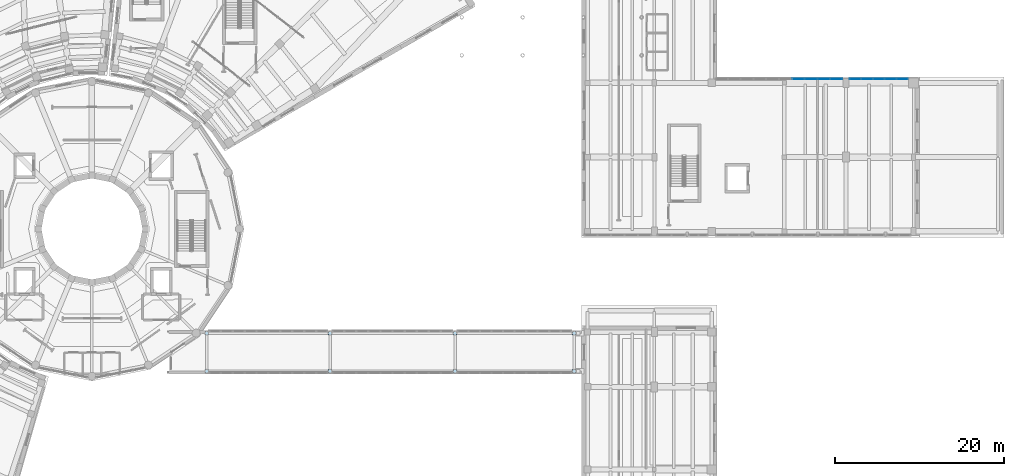
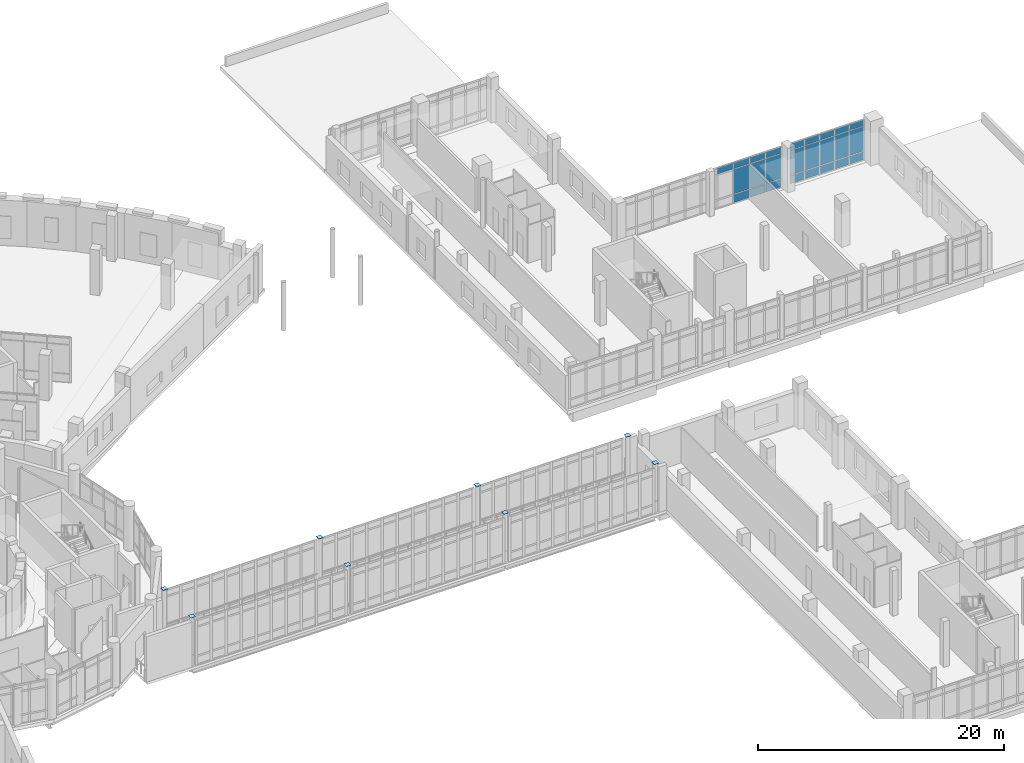
# One storey, part 59 of 89: 33 plates, 2 elements without a shape of their own.
"""IFC4 building model written with IfcOpenShell, lengths in metres."""

from ifc_helpers import new_model, si_unit, direction, frame, origin, origin_2d, place, context, subcontext, project, spatial, rectangle, extrude, material, layer, layer_set, type_object, element, aggregate, save


model = new_model("IFC4")

# Units and contexts
model_context = context("Model", 3, precision=1e-05, world=origin(), true_north=direction((0.0, 1.0)))
body_context = subcontext(model_context, "Body", "Model", "MODEL_VIEW")
ifc_project = project(units=[si_unit("LENGTHUNIT", "METRE"), si_unit("AREAUNIT", "SQUARE_METRE"), si_unit("VOLUMEUNIT", "CUBIC_METRE"), si_unit("PLANEANGLEUNIT", "RADIAN"), si_unit("MASSUNIT", "GRAM", prefix="KILO")], contexts=[model_context])

# Site, building, storey
site_placement = place(None, origin())
site = spatial("IfcSite", under=ifc_project, at=site_placement, CompositionType="ELEMENT")
building_placement = place(site_placement, origin())
building = spatial("IfcBuilding", under=site, at=building_placement, Name="Soyqirgoq Riverine Aquarium", CompositionType="ELEMENT")
storey_placement = place(building_placement, frame((0.0, 0.0, 5.39990234375)))
storey = spatial("IfcBuildingStorey", under=building, at=storey_placement, Name="L02", CompositionType="ELEMENT", Elevation=5.39990234375)

# Curtain wall, plates
ifc_material_1 = material(Name="Anodised aluminium thermally broken gallery curtain wall", Category="aluminium")
curtain_wall_type = type_object("IfcCurtainWallType", Name="CW_Pavilion_Ribbon", PredefinedType="NOTDEFINED", material=ifc_material_1)
curtain_wall_1_placement = place(storey_placement, origin())
curtain_wall_1 = element("IfcCurtainWall", 1, at=curtain_wall_1_placement, inside=storey, type_object=curtain_wall_type, Name="V7 L02 Curtain Wall 123", PredefinedType="NOTDEFINED")
ifc_material_2 = material(Name="Triple insulated laminated low-E glass", Category="glass")
ifc_layer_1 = layer(ifc_material_2, 0.0458984375)
ifc_layer_set_1 = layer_set([ifc_layer_1], Name="Triple insulated laminated low-E glass")
plate_type_1 = type_object("IfcPlateType", Name="CWGlazedPanel_46", PredefinedType="CURTAIN_PANEL", material=ifc_layer_set_1)
plate_1_placement = place(storey_placement, frame((139.631103515625, 74.75, 3.437744140625), z_axis=(0.0, 0.0, 1.0), x_axis=(1.0, 0.0, 0.0)))
plate_1 = element("IfcPlate", 2, at=plate_1_placement, type_object=plate_type_1, Name="CW-05 panel 7.3", PredefinedType="CURTAIN_PANEL", context=body_context, shape_type="SweptSolid", body=[
    extrude(rectangle(XDim=1.448974609375, YDim=0.0458984375, at=origin_2d()), origin(), (0.0, 0.0, 1.0), 0.58740234375),
])
plate_2_placement = place(storey_placement, frame((141.14501953125, 74.75, 0.074951171875), z_axis=(0.0, 0.0, 1.0), x_axis=(1.0, 0.0, 0.0)))
plate_2 = element("IfcPlate", 3, at=plate_2_placement, type_object=plate_type_1, Name="CW-05 panel 8.1", PredefinedType="CURTAIN_PANEL", context=body_context, shape_type="SweptSolid", body=[
    extrude(rectangle(XDim=1.448974609375, YDim=0.0458984375, at=origin_2d()), origin(), (0.0, 0.0, 1.0), 0.78759765625),
])
plate_3_placement = place(storey_placement, frame((141.14501953125, 74.75, 0.9375), z_axis=(0.0, 0.0, 1.0), x_axis=(1.0, 0.0, 0.0)))
plate_3 = element("IfcPlate", 4, at=plate_3_placement, type_object=plate_type_1, Name="CW-05 panel 8.2", PredefinedType="CURTAIN_PANEL", context=body_context, shape_type="SweptSolid", body=[
    extrude(rectangle(XDim=1.448974609375, YDim=0.0458984375, at=origin_2d()), origin(), (0.0, 0.0, 1.0), 2.425048828125),
])
plate_4_placement = place(storey_placement, frame((141.14501953125, 74.75, 3.437744140625), z_axis=(0.0, 0.0, 1.0), x_axis=(1.0, 0.0, 0.0)))
plate_4 = element("IfcPlate", 5, at=plate_4_placement, type_object=plate_type_1, Name="CW-05 panel 8.3", PredefinedType="CURTAIN_PANEL", context=body_context, shape_type="SweptSolid", body=[
    extrude(rectangle(XDim=1.448974609375, YDim=0.0458984375, at=origin_2d()), origin(), (0.0, 0.0, 1.0), 0.58740234375),
])
plate_5_placement = place(storey_placement, frame((142.658935546875, 74.75, 0.074951171875), z_axis=(0.0, 0.0, 1.0), x_axis=(1.0, 0.0, 0.0)))
plate_5 = element("IfcPlate", 6, at=plate_5_placement, type_object=plate_type_1, Name="CW-05 panel 9.1", PredefinedType="CURTAIN_PANEL", context=body_context, shape_type="SweptSolid", body=[
    extrude(rectangle(XDim=1.448974609375, YDim=0.0458984375, at=origin_2d()), origin(), (0.0, 0.0, 1.0), 0.78759765625),
])
plate_6_placement = place(storey_placement, frame((142.658935546875, 74.75, 0.9375), z_axis=(0.0, 0.0, 1.0), x_axis=(1.0, 0.0, 0.0)))
plate_6 = element("IfcPlate", 7, at=plate_6_placement, type_object=plate_type_1, Name="CW-05 panel 9.2", PredefinedType="CURTAIN_PANEL", context=body_context, shape_type="SweptSolid", body=[
    extrude(rectangle(XDim=1.448974609375, YDim=0.0458984375, at=origin_2d()), origin(), (0.0, 0.0, 1.0), 2.425048828125),
])
plate_7_placement = place(storey_placement, frame((142.658935546875, 74.75, 3.437744140625), z_axis=(0.0, 0.0, 1.0), x_axis=(1.0, 0.0, 0.0)))
plate_7 = element("IfcPlate", 8, at=plate_7_placement, type_object=plate_type_1, Name="CW-05 panel 9.3", PredefinedType="CURTAIN_PANEL", context=body_context, shape_type="SweptSolid", body=[
    extrude(rectangle(XDim=1.448974609375, YDim=0.0458984375, at=origin_2d()), origin(), (0.0, 0.0, 1.0), 0.58740234375),
])
plate_8_placement = place(storey_placement, frame((144.15673828125, 74.75, 0.074951171875), z_axis=(0.0, 0.0, 1.0), x_axis=(1.0, 0.0, 0.0)))
plate_8 = element("IfcPlate", 9, at=plate_8_placement, type_object=plate_type_1, Name="CW-05 panel 10.1", PredefinedType="CURTAIN_PANEL", context=body_context, shape_type="SweptSolid", body=[
    extrude(rectangle(XDim=1.41650390625, YDim=0.0458984375, at=origin_2d()), origin(), (0.0, 0.0, 1.0), 0.78759765625),
])
plate_9_placement = place(storey_placement, frame((144.15673828125, 74.75, 0.9375), z_axis=(0.0, 0.0, 1.0), x_axis=(1.0, 0.0, 0.0)))
plate_9 = element("IfcPlate", 10, at=plate_9_placement, type_object=plate_type_1, Name="CW-05 panel 10.2", PredefinedType="CURTAIN_PANEL", context=body_context, shape_type="SweptSolid", body=[
    extrude(rectangle(XDim=1.41650390625, YDim=0.0458984375, at=origin_2d()), origin(), (0.0, 0.0, 1.0), 2.425048828125),
])
plate_10_placement = place(storey_placement, frame((144.15673828125, 74.75, 3.437744140625), z_axis=(0.0, 0.0, 1.0), x_axis=(1.0, 0.0, 0.0)))
plate_10 = element("IfcPlate", 11, at=plate_10_placement, type_object=plate_type_1, Name="CW-05 panel 10.3", PredefinedType="CURTAIN_PANEL", context=body_context, shape_type="SweptSolid", body=[
    extrude(rectangle(XDim=1.41650390625, YDim=0.0458984375, at=origin_2d()), origin(), (0.0, 0.0, 1.0), 0.58740234375),
])
aggregate(curtain_wall_1, [plate_1, plate_2, plate_3, plate_4, plate_5, plate_6, plate_7, plate_8, plate_9, plate_10])

curtain_wall_2_placement = place(storey_placement, origin())
curtain_wall_2 = element("IfcCurtainWall", 12, at=curtain_wall_2_placement, inside=storey, type_object=curtain_wall_type, Name="V7 L02 Curtain Wall 124", PredefinedType="NOTDEFINED")
plate_11_placement = place(storey_placement, frame((146.38720703125, 74.75, 0.074951171875), z_axis=(0.0, 0.0, 1.0), x_axis=(1.0, 0.0, 0.0)))
plate_11 = element("IfcPlate", 13, at=plate_11_placement, type_object=plate_type_1, Name="CW-05 panel 1.1", PredefinedType="CURTAIN_PANEL", context=body_context, shape_type="SweptSolid", body=[
    extrude(rectangle(XDim=1.304443359375, YDim=0.0458984375, at=origin_2d()), origin(), (0.0, 0.0, 1.0), 0.78759765625),
])
plate_12_placement = place(storey_placement, frame((146.38720703125, 74.75, 0.9375), z_axis=(0.0, 0.0, 1.0), x_axis=(1.0, 0.0, 0.0)))
plate_12 = element("IfcPlate", 14, at=plate_12_placement, type_object=plate_type_1, Name="CW-05 panel 1.2", PredefinedType="CURTAIN_PANEL", context=body_context, shape_type="SweptSolid", body=[
    extrude(rectangle(XDim=1.304443359375, YDim=0.0458984375, at=origin_2d()), origin(), (0.0, 0.0, 1.0), 2.425048828125),
])
plate_13_placement = place(storey_placement, frame((146.38720703125, 74.75, 3.437744140625), z_axis=(0.0, 0.0, 1.0), x_axis=(1.0, 0.0, 0.0)))
plate_13 = element("IfcPlate", 15, at=plate_13_placement, type_object=plate_type_1, Name="CW-05 panel 1.3", PredefinedType="CURTAIN_PANEL", context=body_context, shape_type="SweptSolid", body=[
    extrude(rectangle(XDim=1.304443359375, YDim=0.0458984375, at=origin_2d()), origin(), (0.0, 0.0, 1.0), 0.58740234375),
])
plate_14_placement = place(storey_placement, frame((147.77294921875, 74.75, 0.074951171875), z_axis=(0.0, 0.0, 1.0), x_axis=(1.0, 0.0, 0.0)))
plate_14 = element("IfcPlate", 16, at=plate_14_placement, type_object=plate_type_1, Name="CW-05 panel 2.1", PredefinedType="CURTAIN_PANEL", context=body_context, shape_type="SweptSolid", body=[
    extrude(rectangle(XDim=1.3369140625, YDim=0.0458984375, at=origin_2d()), origin(), (0.0, 0.0, 1.0), 0.78759765625),
])
plate_15_placement = place(storey_placement, frame((147.77294921875, 74.75, 0.9375), z_axis=(0.0, 0.0, 1.0), x_axis=(1.0, 0.0, 0.0)))
plate_15 = element("IfcPlate", 17, at=plate_15_placement, type_object=plate_type_1, Name="CW-05 panel 2.2", PredefinedType="CURTAIN_PANEL", context=body_context, shape_type="SweptSolid", body=[
    extrude(rectangle(XDim=1.3369140625, YDim=0.0458984375, at=origin_2d()), origin(), (0.0, 0.0, 1.0), 2.425048828125),
])
plate_16_placement = place(storey_placement, frame((147.77294921875, 74.75, 3.437744140625), z_axis=(0.0, 0.0, 1.0), x_axis=(1.0, 0.0, 0.0)))
plate_16 = element("IfcPlate", 18, at=plate_16_placement, type_object=plate_type_1, Name="CW-05 panel 2.3", PredefinedType="CURTAIN_PANEL", context=body_context, shape_type="SweptSolid", body=[
    extrude(rectangle(XDim=1.3369140625, YDim=0.0458984375, at=origin_2d()), origin(), (0.0, 0.0, 1.0), 0.58740234375),
])
plate_17_placement = place(storey_placement, frame((149.175048828125, 74.75, 0.074951171875), z_axis=(0.0, 0.0, 1.0), x_axis=(1.0, 0.0, 0.0)))
plate_17 = element("IfcPlate", 19, at=plate_17_placement, type_object=plate_type_1, Name="CW-05 panel 3.1", PredefinedType="CURTAIN_PANEL", context=body_context, shape_type="SweptSolid", body=[
    extrude(rectangle(XDim=1.3369140625, YDim=0.0458984375, at=origin_2d()), origin(), (0.0, 0.0, 1.0), 0.78759765625),
])
plate_18_placement = place(storey_placement, frame((149.175048828125, 74.75, 0.9375), z_axis=(0.0, 0.0, 1.0), x_axis=(1.0, 0.0, 0.0)))
plate_18 = element("IfcPlate", 20, at=plate_18_placement, type_object=plate_type_1, Name="CW-05 panel 3.2", PredefinedType="CURTAIN_PANEL", context=body_context, shape_type="SweptSolid", body=[
    extrude(rectangle(XDim=1.3369140625, YDim=0.0458984375, at=origin_2d()), origin(), (0.0, 0.0, 1.0), 2.425048828125),
])
plate_19_placement = place(storey_placement, frame((149.175048828125, 74.75, 3.437744140625), z_axis=(0.0, 0.0, 1.0), x_axis=(1.0, 0.0, 0.0)))
plate_19 = element("IfcPlate", 21, at=plate_19_placement, type_object=plate_type_1, Name="CW-05 panel 3.3", PredefinedType="CURTAIN_PANEL", context=body_context, shape_type="SweptSolid", body=[
    extrude(rectangle(XDim=1.3369140625, YDim=0.0458984375, at=origin_2d()), origin(), (0.0, 0.0, 1.0), 0.58740234375),
])
plate_20_placement = place(storey_placement, frame((150.576904296875, 74.75, 0.074951171875), z_axis=(0.0, 0.0, 1.0), x_axis=(1.0, 0.0, 0.0)))
plate_20 = element("IfcPlate", 22, at=plate_20_placement, type_object=plate_type_1, Name="CW-05 panel 4.1", PredefinedType="CURTAIN_PANEL", context=body_context, shape_type="SweptSolid", body=[
    extrude(rectangle(XDim=1.3369140625, YDim=0.0458984375, at=origin_2d()), origin(), (0.0, 0.0, 1.0), 0.78759765625),
])
plate_21_placement = place(storey_placement, frame((150.576904296875, 74.75, 0.9375), z_axis=(0.0, 0.0, 1.0), x_axis=(1.0, 0.0, 0.0)))
plate_21 = element("IfcPlate", 23, at=plate_21_placement, type_object=plate_type_1, Name="CW-05 panel 4.2", PredefinedType="CURTAIN_PANEL", context=body_context, shape_type="SweptSolid", body=[
    extrude(rectangle(XDim=1.3369140625, YDim=0.0458984375, at=origin_2d()), origin(), (0.0, 0.0, 1.0), 2.425048828125),
])
plate_22_placement = place(storey_placement, frame((150.576904296875, 74.75, 3.437744140625), z_axis=(0.0, 0.0, 1.0), x_axis=(1.0, 0.0, 0.0)))
plate_22 = element("IfcPlate", 24, at=plate_22_placement, type_object=plate_type_1, Name="CW-05 panel 4.3", PredefinedType="CURTAIN_PANEL", context=body_context, shape_type="SweptSolid", body=[
    extrude(rectangle(XDim=1.3369140625, YDim=0.0458984375, at=origin_2d()), origin(), (0.0, 0.0, 1.0), 0.58740234375),
])
plate_23_placement = place(storey_placement, frame((151.962646484375, 74.75, 0.074951171875), z_axis=(0.0, 0.0, 1.0), x_axis=(1.0, 0.0, 0.0)))
plate_23 = element("IfcPlate", 25, at=plate_23_placement, type_object=plate_type_1, Name="CW-05 panel 5.1", PredefinedType="CURTAIN_PANEL", context=body_context, shape_type="SweptSolid", body=[
    extrude(rectangle(XDim=1.304443359375, YDim=0.0458984375, at=origin_2d()), origin(), (0.0, 0.0, 1.0), 0.78759765625),
])
plate_24_placement = place(storey_placement, frame((151.962646484375, 74.75, 0.9375), z_axis=(0.0, 0.0, 1.0), x_axis=(1.0, 0.0, 0.0)))
plate_24 = element("IfcPlate", 26, at=plate_24_placement, type_object=plate_type_1, Name="CW-05 panel 5.2", PredefinedType="CURTAIN_PANEL", context=body_context, shape_type="SweptSolid", body=[
    extrude(rectangle(XDim=1.304443359375, YDim=0.0458984375, at=origin_2d()), origin(), (0.0, 0.0, 1.0), 2.425048828125),
])
plate_25_placement = place(storey_placement, frame((151.962646484375, 74.75, 3.437744140625), z_axis=(0.0, 0.0, 1.0), x_axis=(1.0, 0.0, 0.0)))
plate_25 = element("IfcPlate", 27, at=plate_25_placement, type_object=plate_type_1, Name="CW-05 panel 5.3", PredefinedType="CURTAIN_PANEL", context=body_context, shape_type="SweptSolid", body=[
    extrude(rectangle(XDim=1.304443359375, YDim=0.0458984375, at=origin_2d()), origin(), (0.0, 0.0, 1.0), 0.58740234375),
])
aggregate(curtain_wall_2, [plate_11, plate_12, plate_13, plate_14, plate_15, plate_16, plate_17, plate_18, plate_19, plate_20, plate_21, plate_22, plate_23, plate_24, plate_25])

# Plates
ifc_material_3 = material(Name="Structural steel S355", Category="steel")
ifc_layer_2 = layer(ifc_material_3, 0.02490234375)
ifc_layer_set_2 = layer_set([ifc_layer_2], Name="Structural steel S355")
plate_type_2 = type_object("IfcPlateType", Name="TubeCapPlate_25_S355", PredefinedType="USERDEFINED", material=ifc_layer_set_2)
for number, where, z_axis, x_axis, name in (
    (28, (69.60009765625, 40.14990234375, 4.800048828125), (0.0, 0.0, 1.0), (1.0, 0.0, 0.0), "Bridge Pier BR-1-CP-69-S Top Cap Plate"),
    (29, (69.60009765625, 44.64990234375, 4.800048828125), (0.0, 0.0, 1.0), (1.0, 0.0, 0.0), "Bridge Pier BR-1-CP-69-N Top Cap Plate"),
    (30, (84.199951171875, 40.14990234375, 4.800048828125), (0.0, 0.0, 1.0), (1.0, 0.0, 0.0), "Bridge Pier BR-1-CP-84-S Top Cap Plate"),
    (31, (84.199951171875, 44.64990234375, 4.800048828125), (0.0, 0.0, 1.0), (1.0, 0.0, 0.0), "Bridge Pier BR-1-CP-84-N Top Cap Plate"),
    (32, (99.0, 40.14990234375, 4.800048828125), (0.0, 0.0, 1.0), (1.0, 0.0, 0.0), "Bridge Pier BR-1-CP-99-S Top Cap Plate"),
    (33, (99.0, 44.64990234375, 4.800048828125), (0.0, 0.0, 1.0), (1.0, 0.0, 0.0), "Bridge Pier BR-1-CP-99-N Top Cap Plate"),
    (34, (113.10009765625, 40.14990234375, 4.800048828125), (0.0, 0.0, 1.0), (1.0, 0.0, 0.0), "Bridge Pier BR-1-CP-113-S Top Cap Plate"),
    (35, (113.10009765625, 44.64990234375, 4.800048828125), (0.0, 0.0, 1.0), (1.0, 0.0, 0.0), "Bridge Pier BR-1-CP-113-N Top Cap Plate"),
):
    element("IfcPlate", number, at=place(storey_placement, frame(where, z_axis=z_axis, x_axis=x_axis)), inside=storey, type_object=plate_type_2, Name=name, ObjectType="FLANGE_PLATE", PredefinedType="USERDEFINED", context=body_context, shape_type="SweptSolid", body=[
        extrude(rectangle(XDim=0.43994140625, YDim=0.43994140625, at=origin_2d()), origin(), (0.0, 0.0, 1.0), 0.02490234375),
    ])

save(model, "model.ifc")
